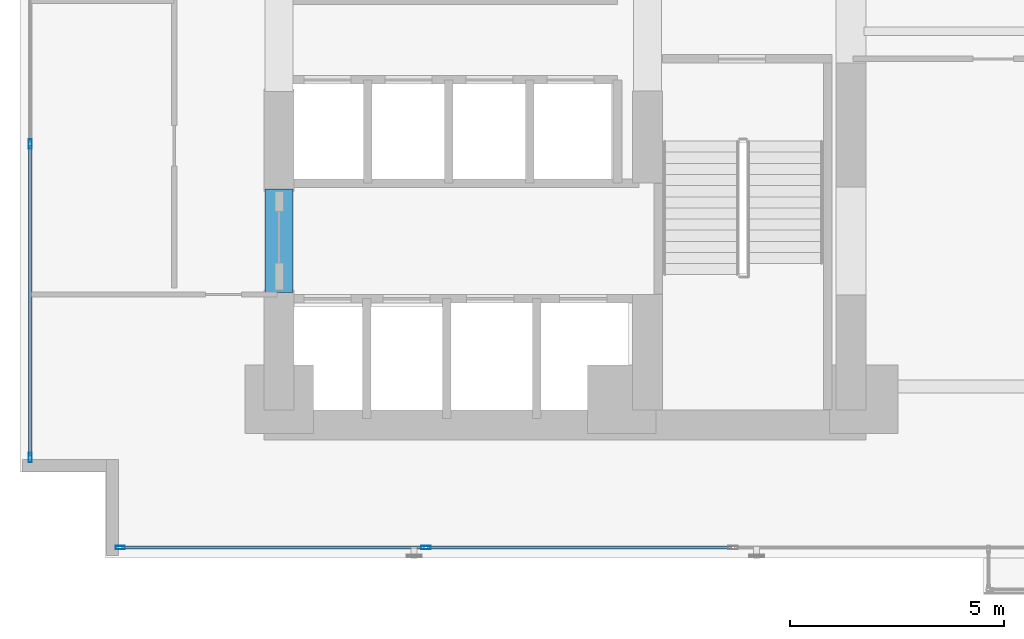
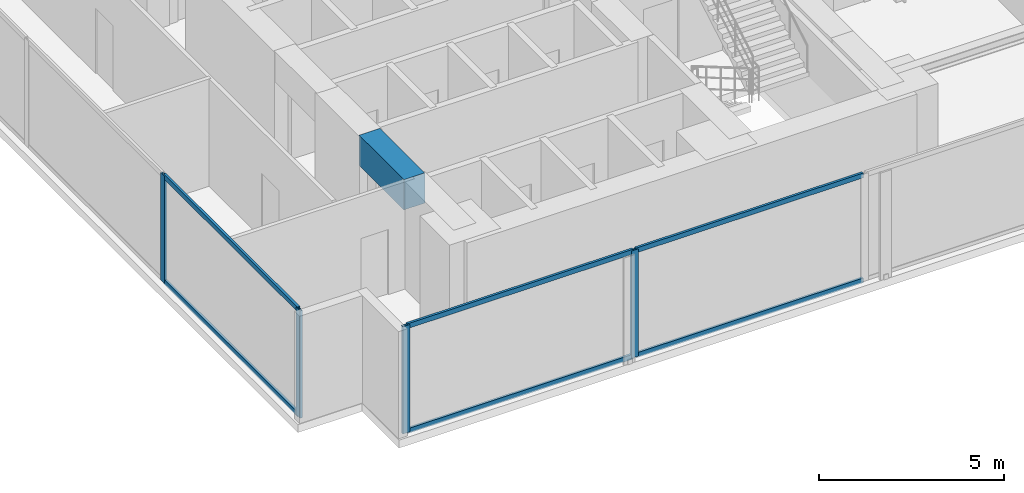
# One storey, part 2 of 27: 10 members, 1 beam, 2 elements without a shape of their own.
"""IFC4 building model written with IfcOpenShell, lengths in metres."""

from ifc_helpers import new_model, si_unit, direction, frame, origin, origin_with_axes, origin_2d, place, context, subcontext, project, spatial, rectangle, hollow_rectangle, extrude, source, transform, mapped, material, layer, layer_set, material_profile, profile_set, type_object, element, aggregate, save


model = new_model("IFC4")

# Units and contexts
model_context = context("Model", 3, precision=1e-05, world=origin(), true_north=direction((0.0, 1.0)))
body_context = subcontext(model_context, "Body", "Model", "MODEL_VIEW")
ifc_project = project(units=[si_unit("LENGTHUNIT", "METRE"), si_unit("AREAUNIT", "SQUARE_METRE"), si_unit("VOLUMEUNIT", "CUBIC_METRE"), si_unit("PLANEANGLEUNIT", "RADIAN"), si_unit("MASSUNIT", "GRAM", prefix="KILO")], contexts=[model_context])

# Site, building, storey
site_placement = place(None, origin())
site = spatial("IfcSite", under=ifc_project, at=site_placement, CompositionType="ELEMENT")
building_placement = place(site_placement, origin())
building = spatial("IfcBuilding", under=site, at=building_placement, Name="Kolvaren Waterfront Exchange", CompositionType="ELEMENT")
storey_placement = place(building_placement, frame((0.0, 0.0, 60.0)))
storey = spatial("IfcBuildingStorey", under=building, at=storey_placement, Name="L15", CompositionType="ELEMENT", Elevation=60.0)

# Beam
ifc_material_1 = material(Name="Concrete C60/75", Category="concrete")
ifc_material_profile_1 = material_profile(ifc_material_1, rectangle(XDim=0.64990234375, YDim=1.0, at=origin_2d()), Name="RC-CB-1000x650")
ifc_profile_set_1 = profile_set([ifc_material_profile_1], Name="Concrete C60/75")
beam_type = type_object("IfcBeamType", Name="STR-CB-1000", PredefinedType="SPANDREL", material=ifc_profile_set_1)
beam_placement = place(storey_placement, frame((7.449951171875, 7.389892578125, 3.0400390625), z_axis=(0.0, 1.0, 0.0), x_axis=(-1.0, 0.0, 0.0)))
element("IfcBeam", 1, at=beam_placement, inside=storey, type_object=beam_type, Name="L15 core coupling beam 3", PredefinedType="SPANDREL", context=body_context, shape_type="SweptSolid", body=[
    extrude(rectangle(XDim=0.64990234375, YDim=1.0, at=origin_2d()), origin(), (0.0, 0.0, 1.0), 2.420166015625),
])

# Curtain wall, members
ifc_material_2 = material(Name="Anodised bronze aluminium 6063-T6", Category="aluminium")
ifc_layer_1 = layer(ifc_material_2, 0.219970703125, Name="Anodised bronze aluminium 6063-T6")
ifc_layer_set_1 = layer_set([ifc_layer_1], Name="Anodised bronze aluminium 6063-T6")
curtain_wall_type_1 = type_object("IfcCurtainWallType", Name="ARC-CW-SYS1", PredefinedType="USERDEFINED", material=ifc_layer_set_1)
curtain_wall_1_placement = place(storey_placement, origin())
curtain_wall_1 = element("IfcCurtainWall", 2, at=curtain_wall_1_placement, inside=storey, type_object=curtain_wall_type_1, Name="L15 stick curtain wall CW1 (CW-L15-S)", ObjectType="STICK CURTAIN WALL", PredefinedType="USERDEFINED")
ifc_material_3 = material(Name="Anodised aluminium 6063-T6", Category="aluminium")
ifc_material_profile_2 = material_profile(ifc_material_3, hollow_rectangle(XDim=0.074951171875, YDim=0.159912109375, WallThickness=0.00439453125, at=origin_2d()), Name="ALU-TRN-160x75x4.5")
ifc_profile_set_2 = profile_set([ifc_material_profile_2], Name="Anodised aluminium 6063-T6")
member_type_1 = type_object("IfcMemberType", Name="ARC-CWT-160", PredefinedType="USERDEFINED", material=ifc_profile_set_2)
shared_shape_1 = source(origin_with_axes(), body_context, "Body", "SweptSolid", [
    extrude(hollow_rectangle(XDim=0.074951171875, YDim=0.159912109375, WallThickness=0.00439453125, at=origin_2d()), origin(), (0.0, 0.0, 1.0), 7.054931640625),
])
member_1_placement = place(storey_placement, frame((3.780029296875, 1.43994140625, 0.03759765625), z_axis=(1.0, 0.0, 0.0), x_axis=(0.0, 1.0, 0.0)))
member_1 = element("IfcMember", 3, at=member_1_placement, type_object=member_type_1, Name="CW1 transom 1.1", ObjectType="TRANSOM", PredefinedType="USERDEFINED", context=body_context, shape_type="MappedRepresentation", body=[
    mapped(shared_shape_1, transform((0.0, 0.0, 0.0), x_axis=(1.0, 0.0, 0.0), y_axis=(0.0, 1.0, 0.0), z_axis=(0.0, 0.0, 1.0), scale=1.0)),
])
member_2_placement = place(storey_placement, frame((3.780029296875, 1.43994140625, 3.50244140625), z_axis=(1.0, 0.0, 0.0), x_axis=(0.0, 1.0, 0.0)))
member_2 = element("IfcMember", 4, at=member_2_placement, type_object=member_type_1, Name="CW1 transom 1.2", ObjectType="TRANSOM", PredefinedType="USERDEFINED", context=body_context, shape_type="MappedRepresentation", body=[
    mapped(shared_shape_1, transform((0.0, 0.0, 0.0), x_axis=(1.0, 0.0, 0.0), y_axis=(0.0, 1.0, 0.0), z_axis=(0.0, 0.0, 1.0), scale=1.0)),
])
shared_shape_2 = source(origin_with_axes(), body_context, "Body", "SweptSolid", [
    extrude(hollow_rectangle(XDim=0.074951171875, YDim=0.159912109375, WallThickness=0.00439453125, at=origin_2d()), origin(), (0.0, 0.0, 1.0), 7.094970703125),
])
member_3_placement = place(storey_placement, frame((10.9150390625, 1.43994140625, 0.03759765625), z_axis=(1.0, 0.0, 0.0), x_axis=(0.0, 1.0, 0.0)))
member_3 = element("IfcMember", 5, at=member_3_placement, type_object=member_type_1, Name="CW1 transom 2.1", ObjectType="TRANSOM", PredefinedType="USERDEFINED", context=body_context, shape_type="MappedRepresentation", body=[
    mapped(shared_shape_2, transform((0.0, 0.0, 0.0), x_axis=(1.0, 0.0, 0.0), y_axis=(0.0, 1.0, 0.0), z_axis=(0.0, 0.0, 1.0), scale=1.0)),
])
member_4_placement = place(storey_placement, frame((10.9150390625, 1.43994140625, 3.50244140625), z_axis=(1.0, 0.0, 0.0), x_axis=(0.0, 1.0, 0.0)))
member_4 = element("IfcMember", 6, at=member_4_placement, type_object=member_type_1, Name="CW1 transom 2.2", ObjectType="TRANSOM", PredefinedType="USERDEFINED", context=body_context, shape_type="MappedRepresentation", body=[
    mapped(shared_shape_2, transform((0.0, 0.0, 0.0), x_axis=(1.0, 0.0, 0.0), y_axis=(0.0, 1.0, 0.0), z_axis=(0.0, 0.0, 1.0), scale=1.0)),
])

ifc_layer_2 = layer(ifc_material_3, 0.219970703125, Name="Anodised aluminium 6063-T6")
ifc_layer_set_2 = layer_set([ifc_layer_2], Name="Anodised aluminium 6063-T6")
curtain_wall_type_2 = type_object("IfcCurtainWallType", Name="ARC-CW-SYS2", PredefinedType="USERDEFINED", material=ifc_layer_set_2)
curtain_wall_2_placement = place(storey_placement, origin())
curtain_wall_2 = element("IfcCurtainWall", 7, at=curtain_wall_2_placement, inside=storey, type_object=curtain_wall_type_2, Name="L15 stick curtain wall CW2 (CW-L15-W)", ObjectType="STICK CURTAIN WALL", PredefinedType="USERDEFINED")
shared_shape_3 = source(origin_with_axes(), body_context, "Body", "SweptSolid", [
    extrude(hollow_rectangle(XDim=0.074951171875, YDim=0.159912109375, WallThickness=0.00439453125, at=origin_2d()), origin(), (0.0, 0.0, 1.0), 7.24658203125),
])
member_5_placement = place(storey_placement, frame((1.639892578125, 3.580078125, 0.03759765625), z_axis=(0.0, 1.0, 0.0), x_axis=(-1.0, 0.0, 0.0)))
member_5 = element("IfcMember", 8, at=member_5_placement, type_object=member_type_1, Name="CW2 transom 1.1", ObjectType="TRANSOM", PredefinedType="USERDEFINED", context=body_context, shape_type="MappedRepresentation", body=[
    mapped(shared_shape_3, transform((0.0, 0.0, 0.0), x_axis=(1.0, 0.0, 0.0), y_axis=(0.0, 1.0, 0.0), z_axis=(0.0, 0.0, 1.0), scale=1.0)),
])
member_6_placement = place(storey_placement, frame((1.639892578125, 3.580078125, 3.50244140625), z_axis=(0.0, 1.0, 0.0), x_axis=(-1.0, 0.0, 0.0)))
member_6 = element("IfcMember", 9, at=member_6_placement, type_object=member_type_1, Name="CW2 transom 1.2", ObjectType="TRANSOM", PredefinedType="USERDEFINED", context=body_context, shape_type="MappedRepresentation", body=[
    mapped(shared_shape_3, transform((0.0, 0.0, 0.0), x_axis=(1.0, 0.0, 0.0), y_axis=(0.0, 1.0, 0.0), z_axis=(0.0, 0.0, 1.0), scale=1.0)),
])

# Member
ifc_material_profile_3 = material_profile(ifc_material_3, hollow_rectangle(XDim=0.080078125, YDim=0.219970703125, WallThickness=0.0048828125, at=origin_2d()), Name="ALU-MUL-220x80x5")
ifc_profile_set_3 = profile_set([ifc_material_profile_3], Name="Anodised aluminium 6063-T6")
member_type_2 = type_object("IfcMemberType", Name="ARC-CWM-220", PredefinedType="MULLION", material=ifc_profile_set_3)
shared_shape_4 = source(origin_with_axes(), body_context, "Body", "SweptSolid", [
    extrude(hollow_rectangle(XDim=0.080078125, YDim=0.219970703125, WallThickness=0.0048828125, at=origin_2d()), origin(), (0.0, 0.0, 1.0), 3.5400390625),
])
member_7_placement = place(storey_placement, frame((3.739990234375, 1.43994140625, 0.0), z_axis=(0.0, 0.0, 1.0), x_axis=(0.0, 1.0, 0.0)))
member_7 = element("IfcMember", 10, at=member_7_placement, type_object=member_type_2, Name="CW1 mullion 1", PredefinedType="MULLION", context=body_context, shape_type="MappedRepresentation", body=[
    mapped(shared_shape_4, transform((0.0, 0.0, 0.0), x_axis=(1.0, 0.0, 0.0), y_axis=(0.0, 1.0, 0.0), z_axis=(0.0, 0.0, 1.0), scale=1.0)),
])

member_8_placement = place(storey_placement, frame((10.875, 1.43994140625, 0.0), z_axis=(0.0, 0.0, 1.0), x_axis=(0.0, 1.0, 0.0)))
member_8 = element("IfcMember", 11, at=member_8_placement, type_object=member_type_2, Name="CW1 mullion 2", PredefinedType="MULLION", context=body_context, shape_type="MappedRepresentation", body=[
    mapped(shared_shape_4, transform((0.0, 0.0, 0.0), x_axis=(1.0, 0.0, 0.0), y_axis=(0.0, 1.0, 0.0), z_axis=(0.0, 0.0, 1.0), scale=1.0)),
])

aggregate(curtain_wall_1, [member_7, member_8, member_1, member_2, member_3, member_4])

member_9_placement = place(storey_placement, frame((1.639892578125, 3.5400390625, 0.0), z_axis=(0.0, 0.0, 1.0), x_axis=(-1.0, 0.0, 0.0)))
member_9 = element("IfcMember", 12, at=member_9_placement, type_object=member_type_2, Name="CW2 mullion 1", PredefinedType="MULLION", context=body_context, shape_type="MappedRepresentation", body=[
    mapped(shared_shape_4, transform((0.0, 0.0, 0.0), x_axis=(1.0, 0.0, 0.0), y_axis=(0.0, 1.0, 0.0), z_axis=(0.0, 0.0, 1.0), scale=1.0)),
])

member_10_placement = place(storey_placement, frame((1.639892578125, 10.86669921875, 0.0), z_axis=(0.0, 0.0, 1.0), x_axis=(-1.0, 0.0, 0.0)))
member_10 = element("IfcMember", 13, at=member_10_placement, type_object=member_type_2, Name="CW2 mullion 2", PredefinedType="MULLION", context=body_context, shape_type="MappedRepresentation", body=[
    mapped(shared_shape_4, transform((0.0, 0.0, 0.0), x_axis=(1.0, 0.0, 0.0), y_axis=(0.0, 1.0, 0.0), z_axis=(0.0, 0.0, 1.0), scale=1.0)),
])

aggregate(curtain_wall_2, [member_9, member_10, member_5, member_6])

save(model, "model.ifc")
